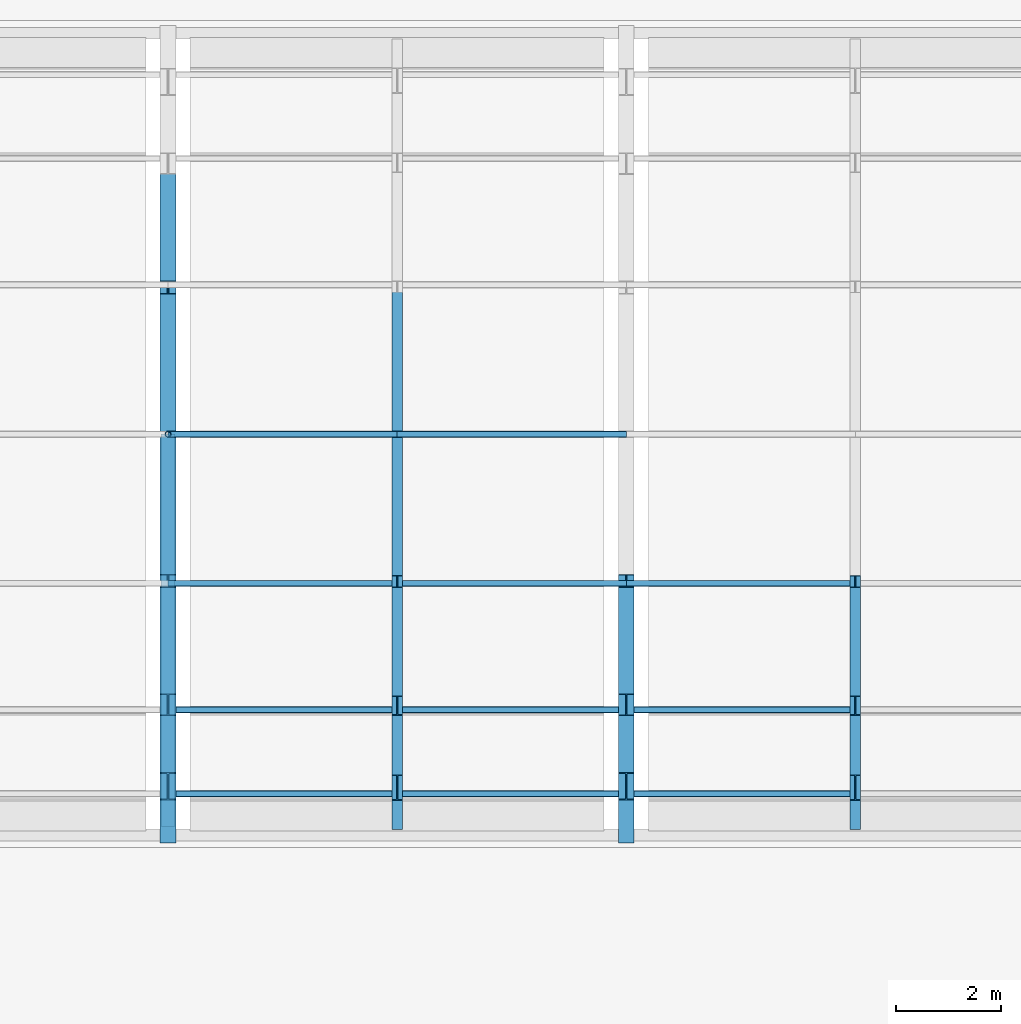
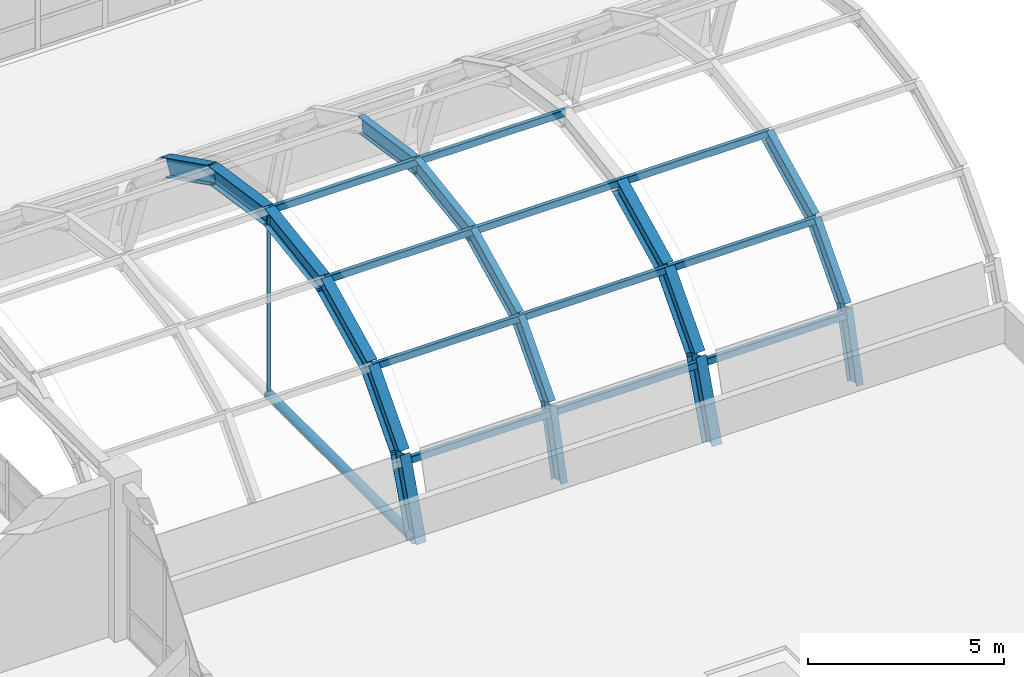
# One storey, part 44 of 124: 17 beams, 13 members.
"""IFC4 building model written with IfcOpenShell, lengths in metres."""

from ifc_helpers import new_model, si_unit, derived_unit, direction, frame, origin, origin_2d, place, context, subcontext, project, spatial, hollow_rectangle, hollow_circle, i_section, extrude, material, material_profile, profile_set, type_object, element, save


model = new_model("IFC4")

# Units and contexts
model_context = context("Model", 3, precision=1e-05, world=origin(), true_north=direction((0.0, 1.0)))
body_context = subcontext(model_context, "Body", "Model", "MODEL_VIEW")
ifc_project = project(units=[si_unit("LENGTHUNIT", "METRE"), si_unit("AREAUNIT", "SQUARE_METRE"), si_unit("VOLUMEUNIT", "CUBIC_METRE"), si_unit("PLANEANGLEUNIT", "RADIAN"), si_unit("MASSUNIT", "GRAM", prefix="KILO"), derived_unit("THERMALTRANSMITTANCEUNIT", [(si_unit("MASSUNIT", "GRAM", prefix="KILO"), 1), (si_unit("TIMEUNIT", "SECOND"), -3), (si_unit("THERMODYNAMICTEMPERATUREUNIT", "KELVIN"), -1)])], contexts=[model_context])

# Site, building, storey
site_placement = place(None, origin())
site = spatial("IfcSite", under=ifc_project, at=site_placement, CompositionType="ELEMENT")
building_placement = place(site_placement, origin())
building = spatial("IfcBuilding", under=site, at=building_placement, Name="Qinzheling Arcade Emporium", CompositionType="ELEMENT")
storey_placement = place(building_placement, frame((0.0, 0.0, 16.5)))
storey = spatial("IfcBuildingStorey", under=building, at=storey_placement, Name="L04", CompositionType="ELEMENT", Elevation=16.5)

# Beams
ifc_material = material(Name="Weathering steel Q355NH", Category="steel")
ifc_material_profile_1 = material_profile(ifc_material, i_section(OverallWidth=0.199951171875, OverallDepth=0.5, WebThickness=0.010009765625, FlangeThickness=0.01611328125, FilletRadius=0.01806640625, at=origin_2d()), Name="HN 500x200x10x16", Category="steel")
ifc_profile_set_1 = profile_set([ifc_material_profile_1], Name="Weathering steel Q355NH")
beam_type_1 = type_object("IfcBeamType", Name="Arcade End Arch Rib HN500 Q355NH", PredefinedType="BEAM", material=ifc_profile_set_1)
beam_1_placement = place(storey_placement, frame((117.449951171875, 50.639892578125, -0.06396484375), z_axis=(0.0, 0.254220652822, 0.967146245239), x_axis=(-1.0, 0.0, 0.0)))
element("IfcBeam", 1, at=beam_1_placement, inside=storey, type_object=beam_type_1, Name="Arcade Sub-Rib VLT-ARCADE-SRIB-B02-S01", PredefinedType="BEAM", context=body_context, shape_type="SweptSolid", body=[
    extrude(i_section(OverallWidth=0.199951171875, OverallDepth=0.5, WebThickness=0.010009765625, FlangeThickness=0.01611328125, FilletRadius=0.01806640625, at=origin_2d()), origin(), (0.0, 0.0, 1.0), 2.159912109375),
])
beam_2_placement = place(storey_placement, frame((117.449951171875, 51.18896484375, 2.02490234375), z_axis=(0.0, 0.667513023581, 0.744598122043), x_axis=(-1.0, 0.0, 0.0)))
element("IfcBeam", 2, at=beam_2_placement, inside=storey, type_object=beam_type_1, Name="Arcade Sub-Rib VLT-ARCADE-SRIB-B02-S02", PredefinedType="BEAM", context=body_context, shape_type="SweptSolid", body=[
    extrude(i_section(OverallWidth=0.199951171875, OverallDepth=0.5, WebThickness=0.010009765625, FlangeThickness=0.01611328125, FilletRadius=0.01806640625, at=origin_2d()), origin(), (0.0, 0.0, 1.0), 2.334228515625),
])
beam_3_placement = place(storey_placement, frame((117.449951171875, 52.7470703125, 3.762939453125), z_axis=(0.0, 0.895093759776, 0.445877966725), x_axis=(-1.0, 0.0, 0.0)))
element("IfcBeam", 3, at=beam_3_placement, inside=storey, type_object=beam_type_1, Name="Arcade Sub-Rib VLT-ARCADE-SRIB-B02-S03", PredefinedType="BEAM", context=body_context, shape_type="SweptSolid", body=[
    extrude(i_section(OverallWidth=0.199951171875, OverallDepth=0.5, WebThickness=0.010009765625, FlangeThickness=0.01611328125, FilletRadius=0.01806640625, at=origin_2d()), origin(), (0.0, 0.0, 1.0), 2.633056640625),
])
beam_4_placement = place(storey_placement, frame((117.449951171875, 55.10400390625, 4.93701171875), z_axis=(0.0, 0.989160754907, 0.146836647166), x_axis=(-1.0, 0.0, 0.0)))
element("IfcBeam", 4, at=beam_4_placement, inside=storey, type_object=beam_type_1, Name="Arcade Sub-Rib VLT-ARCADE-SRIB-B02-S04", PredefinedType="BEAM", context=body_context, shape_type="SweptSolid", body=[
    extrude(i_section(OverallWidth=0.199951171875, OverallDepth=0.5, WebThickness=0.010009765625, FlangeThickness=0.01611328125, FilletRadius=0.01806640625, at=origin_2d()), origin(), (0.0, 0.0, 1.0), 2.826416015625),
])
beam_5_placement = place(storey_placement, frame((117.449951171875, 57.89990234375, 5.35205078125), z_axis=(0.0, 0.989162616989, -0.146824102758), x_axis=(-1.0, 0.0, 0.0)))
element("IfcBeam", 5, at=beam_5_placement, inside=storey, type_object=beam_type_1, Name="Arcade Sub-Rib VLT-ARCADE-SRIB-B02-S05", PredefinedType="BEAM", context=body_context, shape_type="SweptSolid", body=[
    extrude(i_section(OverallWidth=0.199951171875, OverallDepth=0.5, WebThickness=0.010009765625, FlangeThickness=0.01611328125, FilletRadius=0.01806640625, at=origin_2d()), origin(), (0.0, 0.0, 1.0), 2.82666015625),
])
beam_6_placement = place(storey_placement, frame((126.14990234375, 50.639892578125, -0.06396484375), z_axis=(0.0, 0.254220652822, 0.967146245239), x_axis=(-1.0, 0.0, 0.0)))
element("IfcBeam", 6, at=beam_6_placement, inside=storey, type_object=beam_type_1, Name="Arcade Sub-Rib VLT-ARCADE-SRIB-B03-S01", PredefinedType="BEAM", context=body_context, shape_type="SweptSolid", body=[
    extrude(i_section(OverallWidth=0.199951171875, OverallDepth=0.5, WebThickness=0.010009765625, FlangeThickness=0.01611328125, FilletRadius=0.01806640625, at=origin_2d()), origin(), (0.0, 0.0, 1.0), 2.159912109375),
])
beam_7_placement = place(storey_placement, frame((126.14990234375, 51.18896484375, 2.02490234375), z_axis=(0.0, 0.667513023581, 0.744598122043), x_axis=(-1.0, 0.0, 0.0)))
element("IfcBeam", 7, at=beam_7_placement, inside=storey, type_object=beam_type_1, Name="Arcade Sub-Rib VLT-ARCADE-SRIB-B03-S02", PredefinedType="BEAM", context=body_context, shape_type="SweptSolid", body=[
    extrude(i_section(OverallWidth=0.199951171875, OverallDepth=0.5, WebThickness=0.010009765625, FlangeThickness=0.01611328125, FilletRadius=0.01806640625, at=origin_2d()), origin(), (0.0, 0.0, 1.0), 2.334228515625),
])
beam_8_placement = place(storey_placement, frame((126.14990234375, 52.7470703125, 3.762939453125), z_axis=(0.0, 0.895093759776, 0.445877966725), x_axis=(-1.0, 0.0, 0.0)))
element("IfcBeam", 8, at=beam_8_placement, inside=storey, type_object=beam_type_1, Name="Arcade Sub-Rib VLT-ARCADE-SRIB-B03-S03", PredefinedType="BEAM", context=body_context, shape_type="SweptSolid", body=[
    extrude(i_section(OverallWidth=0.199951171875, OverallDepth=0.5, WebThickness=0.010009765625, FlangeThickness=0.01611328125, FilletRadius=0.01806640625, at=origin_2d()), origin(), (0.0, 0.0, 1.0), 2.633056640625),
])

# Members
ifc_material_profile_2 = material_profile(ifc_material, hollow_rectangle(XDim=0.1201171875, YDim=0.219970703125, WallThickness=0.008056640625, InnerFilletRadius=0.008056640625, OuterFilletRadius=0.01611328125, at=origin_2d()), Name="RHS 220x120x8", Category="steel")
ifc_profile_set_2 = profile_set([ifc_material_profile_2], Name="Weathering steel Q355NH")
member_type_1 = type_object("IfcMemberType", Name="Arcade Skylight Purlin RHS220 Q355NH", PredefinedType="PURLIN", material=ifc_profile_set_2)
member_1_placement = place(storey_placement, frame((113.10009765625, 51.073974609375, 1.7958984375), z_axis=(1.0, 0.0, 0.0), x_axis=(0.0, 1.0, 0.0)))
element("IfcMember", 9, at=member_1_placement, inside=storey, type_object=member_type_1, Name="Arcade Skylight Purlin VLT-ARCADE-PUR-B02-N01-1", PredefinedType="PURLIN", context=body_context, shape_type="SweptSolid", body=[
    extrude(hollow_rectangle(XDim=0.1201171875, YDim=0.219970703125, WallThickness=0.008056640625, InnerFilletRadius=0.008056640625, OuterFilletRadius=0.01611328125, at=origin_2d()), origin(), (0.0, 0.0, 1.0), 4.349853515625),
])
member_2_placement = place(storey_placement, frame((117.449951171875, 51.073974609375, 1.7958984375), z_axis=(1.0, 0.0, 0.0), x_axis=(0.0, 1.0, 0.0)))
element("IfcMember", 10, at=member_2_placement, inside=storey, type_object=member_type_1, Name="Arcade Skylight Purlin VLT-ARCADE-PUR-B02-N01-2", PredefinedType="PURLIN", context=body_context, shape_type="SweptSolid", body=[
    extrude(hollow_rectangle(XDim=0.1201171875, YDim=0.219970703125, WallThickness=0.008056640625, InnerFilletRadius=0.008056640625, OuterFilletRadius=0.01611328125, at=origin_2d()), origin(), (0.0, 0.0, 1.0), 4.35009765625),
])
member_3_placement = place(storey_placement, frame((113.10009765625, 52.66796875, 3.778076171875), z_axis=(1.0, 0.0, 0.0), x_axis=(0.0, 1.0, 0.0)))
element("IfcMember", 11, at=member_3_placement, inside=storey, type_object=member_type_1, Name="Arcade Skylight Purlin VLT-ARCADE-PUR-B02-N02-1", PredefinedType="PURLIN", context=body_context, shape_type="SweptSolid", body=[
    extrude(hollow_rectangle(XDim=0.1201171875, YDim=0.219970703125, WallThickness=0.008056640625, InnerFilletRadius=0.008056640625, OuterFilletRadius=0.01611328125, at=origin_2d()), origin(), (0.0, 0.0, 1.0), 4.349853515625),
])
member_4_placement = place(storey_placement, frame((117.449951171875, 52.66796875, 3.778076171875), z_axis=(1.0, 0.0, 0.0), x_axis=(0.0, 1.0, 0.0)))
element("IfcMember", 12, at=member_4_placement, inside=storey, type_object=member_type_1, Name="Arcade Skylight Purlin VLT-ARCADE-PUR-B02-N02-2", PredefinedType="PURLIN", context=body_context, shape_type="SweptSolid", body=[
    extrude(hollow_rectangle(XDim=0.1201171875, YDim=0.219970703125, WallThickness=0.008056640625, InnerFilletRadius=0.008056640625, OuterFilletRadius=0.01611328125, at=origin_2d()), origin(), (0.0, 0.0, 1.0), 4.35009765625),
])
member_5_placement = place(storey_placement, frame((113.10009765625, 55.06591796875, 5.031005859375), z_axis=(1.0, 0.0, 0.0), x_axis=(0.0, 1.0, 0.0)))
element("IfcMember", 13, at=member_5_placement, inside=storey, type_object=member_type_1, Name="Arcade Skylight Purlin VLT-ARCADE-PUR-B02-N03-1", PredefinedType="PURLIN", context=body_context, shape_type="SweptSolid", body=[
    extrude(hollow_rectangle(XDim=0.1201171875, YDim=0.219970703125, WallThickness=0.008056640625, InnerFilletRadius=0.008056640625, OuterFilletRadius=0.01611328125, at=origin_2d()), origin(), (0.0, 0.0, 1.0), 4.349853515625),
])
member_6_placement = place(storey_placement, frame((117.449951171875, 55.06591796875, 5.031005859375), z_axis=(1.0, 0.0, 0.0), x_axis=(0.0, 1.0, 0.0)))
element("IfcMember", 14, at=member_6_placement, inside=storey, type_object=member_type_1, Name="Arcade Skylight Purlin VLT-ARCADE-PUR-B02-N03-2", PredefinedType="PURLIN", context=body_context, shape_type="SweptSolid", body=[
    extrude(hollow_rectangle(XDim=0.1201171875, YDim=0.219970703125, WallThickness=0.008056640625, InnerFilletRadius=0.008056640625, OuterFilletRadius=0.01611328125, at=origin_2d()), origin(), (0.0, 0.0, 1.0), 4.35009765625),
])
member_7_placement = place(storey_placement, frame((113.10009765625, 57.89990234375, 5.47802734375), z_axis=(1.0, 0.0, 0.0), x_axis=(0.0, 1.0, 0.0)))
element("IfcMember", 15, at=member_7_placement, inside=storey, type_object=member_type_1, Name="Arcade Skylight Purlin VLT-ARCADE-PUR-B02-N04-1", PredefinedType="PURLIN", context=body_context, shape_type="SweptSolid", body=[
    extrude(hollow_rectangle(XDim=0.1201171875, YDim=0.219970703125, WallThickness=0.008056640625, InnerFilletRadius=0.008056640625, OuterFilletRadius=0.01611328125, at=origin_2d()), origin(), (0.0, 0.0, 1.0), 4.349853515625),
])
member_8_placement = place(storey_placement, frame((117.449951171875, 57.89990234375, 5.47802734375), z_axis=(1.0, 0.0, 0.0), x_axis=(0.0, 1.0, 0.0)))
element("IfcMember", 16, at=member_8_placement, inside=storey, type_object=member_type_1, Name="Arcade Skylight Purlin VLT-ARCADE-PUR-B02-N04-2", PredefinedType="PURLIN", context=body_context, shape_type="SweptSolid", body=[
    extrude(hollow_rectangle(XDim=0.1201171875, YDim=0.219970703125, WallThickness=0.008056640625, InnerFilletRadius=0.008056640625, OuterFilletRadius=0.01611328125, at=origin_2d()), origin(), (0.0, 0.0, 1.0), 4.35009765625),
])
for number, where, z_axis, x_axis, name in (
    (17, (121.800048828125, 51.073974609375, 1.7958984375), (1.0, 0.0, 0.0), (0.0, 1.0, 0.0), "Arcade Skylight Purlin VLT-ARCADE-PUR-B03-N01-1"),
    (18, (121.800048828125, 52.66796875, 3.778076171875), (1.0, 0.0, 0.0), (0.0, 1.0, 0.0), "Arcade Skylight Purlin VLT-ARCADE-PUR-B03-N02-1"),
    (19, (121.800048828125, 55.06591796875, 5.031005859375), (1.0, 0.0, 0.0), (0.0, 1.0, 0.0), "Arcade Skylight Purlin VLT-ARCADE-PUR-B03-N03-1"),
):
    element("IfcMember", number, at=place(storey_placement, frame(where, z_axis=z_axis, x_axis=x_axis)), inside=storey, type_object=member_type_1, Name=name, PredefinedType="PURLIN", context=body_context, shape_type="SweptSolid", body=[
        extrude(hollow_rectangle(XDim=0.1201171875, YDim=0.219970703125, WallThickness=0.008056640625, InnerFilletRadius=0.008056640625, OuterFilletRadius=0.01611328125, at=origin_2d()), origin(), (0.0, 0.0, 1.0), 4.349853515625),
    ])

# Beams
ifc_material_profile_3 = material_profile(ifc_material, i_section(OverallWidth=0.300048828125, OverallDepth=0.550048828125, WebThickness=0.010986328125, FlangeThickness=0.01806640625, FilletRadius=0.02197265625, at=origin_2d()), Name="HN 550x300x11x18", Category="steel")
ifc_profile_set_3 = profile_set([ifc_material_profile_3], Name="Weathering steel Q355NH")
beam_type_2 = type_object("IfcBeamType", Name="Arcade Vault Arch Rib HN550 Q355NH", PredefinedType="BEAM", material=ifc_profile_set_3)
beam_9_placement = place(storey_placement, frame((113.10009765625, 50.39990234375, -0.27490234375), z_axis=(0.0, 0.334966009036, 0.942230212204), x_axis=(-1.0, 0.0, 0.0)))
element("IfcBeam", 20, at=beam_9_placement, inside=storey, type_object=beam_type_2, Name="Arcade Arch Rib VLT-ARCADE-RIB-02-S01", PredefinedType="BEAM", context=body_context, shape_type="SweptSolid", body=[
    extrude(i_section(OverallWidth=0.300048828125, OverallDepth=0.550048828125, WebThickness=0.010986328125, FlangeThickness=0.01806640625, FilletRadius=0.02197265625, at=origin_2d()), origin(), (0.0, 0.0, 1.0), 2.427001953125),
])
beam_10_placement = place(storey_placement, frame((113.10009765625, 51.212890625, 2.011962890625), z_axis=(0.0, 0.667755968638, 0.744380256555), x_axis=(-1.0, 0.0, 0.0)))
element("IfcBeam", 21, at=beam_10_placement, inside=storey, type_object=beam_type_2, Name="Arcade Arch Rib VLT-ARCADE-RIB-02-S02", PredefinedType="BEAM", context=body_context, shape_type="SweptSolid", body=[
    extrude(i_section(OverallWidth=0.300048828125, OverallDepth=0.550048828125, WebThickness=0.010986328125, FlangeThickness=0.01806640625, FilletRadius=0.02197265625, at=origin_2d()), origin(), (0.0, 0.0, 1.0), 2.32275390625),
])
beam_11_placement = place(storey_placement, frame((113.10009765625, 52.763916015625, 3.740966796875), z_axis=(0.0, 0.894947443408, 0.446171574104), x_axis=(-1.0, 0.0, 0.0)))
element("IfcBeam", 22, at=beam_11_placement, inside=storey, type_object=beam_type_2, Name="Arcade Arch Rib VLT-ARCADE-RIB-02-S03", PredefinedType="BEAM", context=body_context, shape_type="SweptSolid", body=[
    extrude(i_section(OverallWidth=0.300048828125, OverallDepth=0.550048828125, WebThickness=0.010986328125, FlangeThickness=0.01806640625, FilletRadius=0.02197265625, at=origin_2d()), origin(), (0.0, 0.0, 1.0), 2.624755859375),
])
beam_12_placement = place(storey_placement, frame((113.10009765625, 55.113037109375, 4.912109375), z_axis=(0.0, 0.989204858148, 0.14653923917), x_axis=(-1.0, 0.0, 0.0)))
element("IfcBeam", 23, at=beam_12_placement, inside=storey, type_object=beam_type_2, Name="Arcade Arch Rib VLT-ARCADE-RIB-02-S04", PredefinedType="BEAM", context=body_context, shape_type="SweptSolid", body=[
    extrude(i_section(OverallWidth=0.300048828125, OverallDepth=0.550048828125, WebThickness=0.010986328125, FlangeThickness=0.01806640625, FilletRadius=0.02197265625, at=origin_2d()), origin(), (0.0, 0.0, 1.0), 2.8173828125),
])
beam_13_placement = place(storey_placement, frame((113.10009765625, 57.89990234375, 5.324951171875), z_axis=(0.0, 0.989206718788, -0.146526678475), x_axis=(-1.0, 0.0, 0.0)))
element("IfcBeam", 24, at=beam_13_placement, inside=storey, type_object=beam_type_2, Name="Arcade Arch Rib VLT-ARCADE-RIB-02-S05", PredefinedType="BEAM", context=body_context, shape_type="SweptSolid", body=[
    extrude(i_section(OverallWidth=0.300048828125, OverallDepth=0.550048828125, WebThickness=0.010986328125, FlangeThickness=0.01806640625, FilletRadius=0.02197265625, at=origin_2d()), origin(), (0.0, 0.0, 1.0), 2.817626953125),
])
beam_14_placement = place(storey_placement, frame((113.10009765625, 60.68701171875, 4.912109375), z_axis=(0.0, 0.894928925573, -0.446208715931), x_axis=(-1.0, 0.0, 0.0)))
element("IfcBeam", 25, at=beam_14_placement, inside=storey, type_object=beam_type_2, Name="Arcade Arch Rib VLT-ARCADE-RIB-02-S06", PredefinedType="BEAM", context=body_context, shape_type="SweptSolid", body=[
    extrude(i_section(OverallWidth=0.300048828125, OverallDepth=0.550048828125, WebThickness=0.010986328125, FlangeThickness=0.01806640625, FilletRadius=0.02197265625, at=origin_2d()), origin(), (0.0, 0.0, 1.0), 2.624755859375),
])
beam_15_placement = place(storey_placement, frame((121.800048828125, 50.39990234375, -0.27490234375), z_axis=(0.0, 0.334966009036, 0.942230212204), x_axis=(-1.0, 0.0, 0.0)))
element("IfcBeam", 26, at=beam_15_placement, inside=storey, type_object=beam_type_2, Name="Arcade Arch Rib VLT-ARCADE-RIB-03-S01", PredefinedType="BEAM", context=body_context, shape_type="SweptSolid", body=[
    extrude(i_section(OverallWidth=0.300048828125, OverallDepth=0.550048828125, WebThickness=0.010986328125, FlangeThickness=0.01806640625, FilletRadius=0.02197265625, at=origin_2d()), origin(), (0.0, 0.0, 1.0), 2.427001953125),
])
beam_16_placement = place(storey_placement, frame((121.800048828125, 51.212890625, 2.011962890625), z_axis=(0.0, 0.667755968638, 0.744380256555), x_axis=(-1.0, 0.0, 0.0)))
element("IfcBeam", 27, at=beam_16_placement, inside=storey, type_object=beam_type_2, Name="Arcade Arch Rib VLT-ARCADE-RIB-03-S02", PredefinedType="BEAM", context=body_context, shape_type="SweptSolid", body=[
    extrude(i_section(OverallWidth=0.300048828125, OverallDepth=0.550048828125, WebThickness=0.010986328125, FlangeThickness=0.01806640625, FilletRadius=0.02197265625, at=origin_2d()), origin(), (0.0, 0.0, 1.0), 2.32275390625),
])
beam_17_placement = place(storey_placement, frame((121.800048828125, 52.763916015625, 3.740966796875), z_axis=(0.0, 0.894947443408, 0.446171574104), x_axis=(-1.0, 0.0, 0.0)))
element("IfcBeam", 28, at=beam_17_placement, inside=storey, type_object=beam_type_2, Name="Arcade Arch Rib VLT-ARCADE-RIB-03-S03", PredefinedType="BEAM", context=body_context, shape_type="SweptSolid", body=[
    extrude(i_section(OverallWidth=0.300048828125, OverallDepth=0.550048828125, WebThickness=0.010986328125, FlangeThickness=0.01806640625, FilletRadius=0.02197265625, at=origin_2d()), origin(), (0.0, 0.0, 1.0), 2.624755859375),
])

# Members
ifc_material_profile_4 = material_profile(ifc_material, hollow_circle(Radius=0.056884765625, WallThickness=0.008056640625, at=origin_2d()), Name="CHS 114x8", Category="steel")
ifc_profile_set_4 = profile_set([ifc_material_profile_4], Name="Weathering steel Q355NH")
member_type_2 = type_object("IfcMemberType", Name="Vault King-Post Hanger CHS114 Q355NH", PredefinedType="BRACE", material=ifc_profile_set_4)
member_9_placement = place(storey_placement, frame((113.10009765625, 57.89990234375, -0.25), z_axis=(0.0, 0.0, 1.0), x_axis=(1.0, 0.0, 0.0)))
element("IfcMember", 29, at=member_9_placement, inside=storey, type_object=member_type_2, Name="Arcade Crown Hanger VLT-ARCADE-HNG-02", PredefinedType="BRACE", context=body_context, shape_type="SweptSolid", body=[
    extrude(hollow_circle(Radius=0.056884765625, WallThickness=0.008056640625, at=origin_2d()), origin(), (0.0, 0.0, 1.0), 5.574951171875),
])
ifc_material_profile_5 = material_profile(ifc_material, hollow_circle(Radius=0.136474609375, WallThickness=0.011962890625, at=origin_2d()), Name="CHS 273x12", Category="steel")
ifc_profile_set_5 = profile_set([ifc_material_profile_5], Name="Weathering steel Q355NH")
member_type_3 = type_object("IfcMemberType", Name="Vault Thrust Tie Chord CHS273 Q355NH", PredefinedType="CHORD", material=ifc_profile_set_5)
member_10_placement = place(storey_placement, frame((113.10009765625, 50.449951171875, -0.25), z_axis=(0.0, 1.0, 0.0), x_axis=(-1.0, 0.0, 0.0)))
element("IfcMember", 30, at=member_10_placement, inside=storey, type_object=member_type_3, Name="Arcade Thrust Tie VLT-ARCADE-TIE-02-1", PredefinedType="CHORD", context=body_context, shape_type="SweptSolid", body=[
    extrude(hollow_circle(Radius=0.136474609375, WallThickness=0.011962890625, at=origin_2d()), origin(), (0.0, 0.0, 1.0), 7.449951171875),
])

save(model, "model.ifc")
